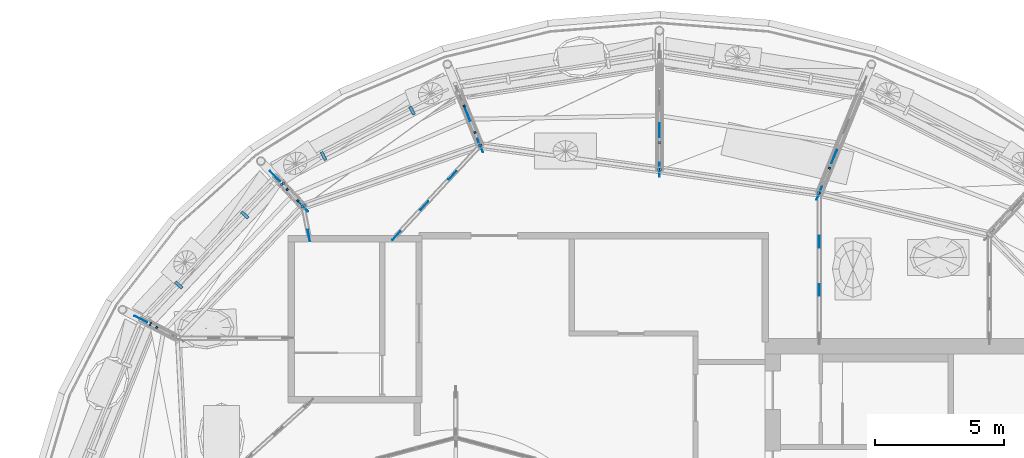
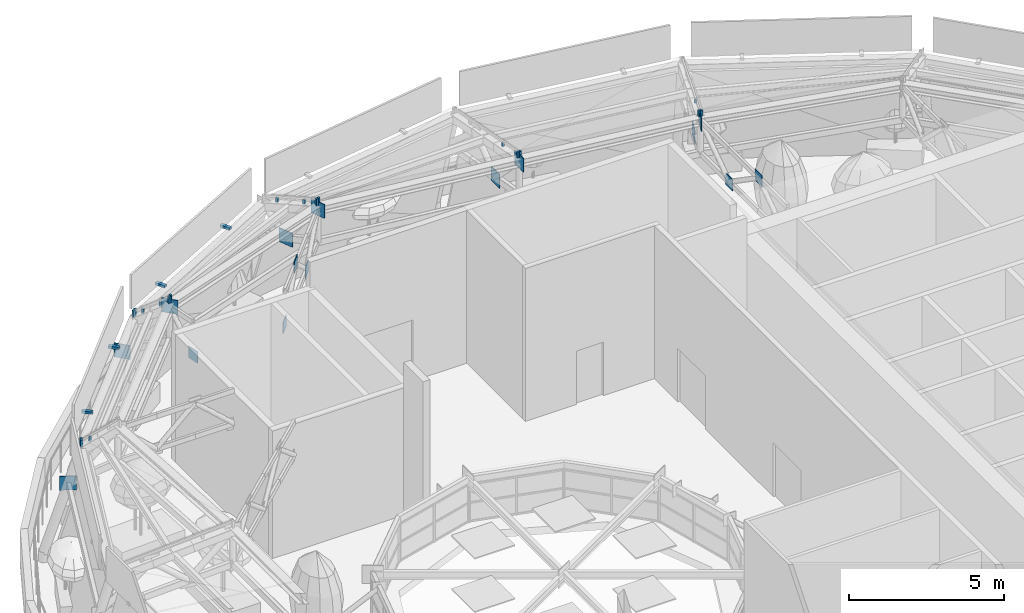
# One storey, part 26 of 40: 38 discrete accessories.
"""IFC4 building model written with IfcOpenShell, lengths in metres."""

from ifc_helpers import new_model, si_unit, direction, frame, origin, origin_2d, place, context, subcontext, project, spatial, rectangle, extrude, material, type_object, element, save


model = new_model("IFC4")

# Units and contexts
model_context = context("Model", 3, precision=1e-05, world=origin(), true_north=direction((0.0, 1.0)))
body_context = subcontext(model_context, "Body", "Model", "MODEL_VIEW")
ifc_project = project(units=[si_unit("LENGTHUNIT", "METRE"), si_unit("AREAUNIT", "SQUARE_METRE"), si_unit("VOLUMEUNIT", "CUBIC_METRE"), si_unit("PLANEANGLEUNIT", "RADIAN"), si_unit("MASSUNIT", "GRAM", prefix="KILO")], contexts=[model_context])

# Site, building, storey
site_placement = place(None, origin())
site = spatial("IfcSite", under=ifc_project, at=site_placement, CompositionType="ELEMENT")
building_placement = place(site_placement, origin())
building = spatial("IfcBuilding", under=site, at=building_placement, Name="Taillehof Tower", CompositionType="ELEMENT")
storey_placement = place(building_placement, frame((0.0, 0.0, 275.199951171875)))
storey = spatial("IfcBuildingStorey", under=building, at=storey_placement, Name="L77", CompositionType="ELEMENT", Elevation=275.199951171875)

# Discrete accessories
ifc_material_1 = material(Name="Steel S460M", Category="steel")
discrete_accessory_type_1 = type_object("IfcDiscreteAccessoryType", Name="Steel bracket", PredefinedType="BRACKET", material=ifc_material_1)
discrete_accessory_1_placement = place(storey_placement, frame((6.135498046875, 15.6435546875, 5.23583984375), z_axis=(0.0, 0.0, 1.0), x_axis=(1.0, 0.0, 0.0)))
element("IfcDiscreteAccessory", 1, at=discrete_accessory_1_placement, inside=storey, type_object=discrete_accessory_type_1, Name="Canopy glazing seat", PredefinedType="BRACKET", context=body_context, shape_type="SweptSolid", body=[
    extrude(rectangle(XDim=0.080078125, YDim=0.080078125, at=origin_2d()), origin(), (0.0, 0.0, 1.0), 0.234619140625),
])
discrete_accessory_2_placement = place(storey_placement, frame((6.49462890625, 16.611572265625, 5.0400390625), z_axis=(0.0, 0.0, 1.0), x_axis=(-0.374959342853, -0.927041256475, 0.0)))
element("IfcDiscreteAccessory", 2, at=discrete_accessory_2_placement, inside=storey, type_object=discrete_accessory_type_1, Name="Canopy glazing seat", PredefinedType="BRACKET", context=body_context, shape_type="SweptSolid", body=[
    extrude(rectangle(XDim=0.080078125, YDim=0.080078125, at=origin_2d()), origin(), (0.0, 0.0, 1.0), 0.142578125),
])
discrete_accessory_3_placement = place(storey_placement, frame((-0.068115234375, 16.564208984375, 5.236328125), z_axis=(0.0, 0.0, 1.0), x_axis=(1.0, 0.0, 0.0)))
element("IfcDiscreteAccessory", 3, at=discrete_accessory_3_placement, inside=storey, type_object=discrete_accessory_type_1, Name="Canopy glazing seat", PredefinedType="BRACKET", context=body_context, shape_type="SweptSolid", body=[
    extrude(rectangle(XDim=0.080078125, YDim=0.080078125, at=origin_2d()), origin(), (0.0, 0.0, 1.0), 0.243408203125),
])
discrete_accessory_4_placement = place(storey_placement, frame((6.0751953125, 15.66162109375, 5.236328125), z_axis=(0.0, 0.0, 1.0), x_axis=(1.0, 0.0, 0.0)))
element("IfcDiscreteAccessory", 4, at=discrete_accessory_4_placement, inside=storey, type_object=discrete_accessory_type_1, Name="Canopy glazing seat", PredefinedType="BRACKET", context=body_context, shape_type="SweptSolid", body=[
    extrude(rectangle(XDim=0.080078125, YDim=0.080078125, at=origin_2d()), origin(), (0.0, 0.0, 1.0), 0.234619140625),
])
discrete_accessory_5_placement = place(storey_placement, frame((-0.10009765625, 17.60009765625, 5.0400390625), z_axis=(0.0, 0.0, 1.0), x_axis=(0.0, -1.0, 0.0)))
element("IfcDiscreteAccessory", 5, at=discrete_accessory_5_placement, inside=storey, type_object=discrete_accessory_type_1, Name="Canopy glazing seat", PredefinedType="BRACKET", context=body_context, shape_type="SweptSolid", body=[
    extrude(rectangle(XDim=0.080078125, YDim=0.080078125, at=origin_2d()), origin(), (0.0, 0.0, 1.0), 0.1513671875),
])
discrete_accessory_6_placement = place(storey_placement, frame((-7.017822265625, 17.503173828125, 5.23779296875), z_axis=(0.0, 0.0, 1.0), x_axis=(1.0, 0.0, 0.0)))
element("IfcDiscreteAccessory", 6, at=discrete_accessory_6_placement, inside=storey, type_object=discrete_accessory_type_1, Name="Canopy glazing seat", PredefinedType="BRACKET", context=body_context, shape_type="SweptSolid", body=[
    extrude(rectangle(XDim=0.080078125, YDim=0.080078125, at=origin_2d()), origin(), (0.0, 0.0, 1.0), 0.275146484375),
])
discrete_accessory_7_placement = place(storey_placement, frame((-0.130615234375, 16.56689453125, 5.23779296875), z_axis=(0.0, 0.0, 1.0), x_axis=(1.0, 0.0, 0.0)))
element("IfcDiscreteAccessory", 7, at=discrete_accessory_7_placement, inside=storey, type_object=discrete_accessory_type_1, Name="Canopy glazing seat", PredefinedType="BRACKET", context=body_context, shape_type="SweptSolid", body=[
    extrude(rectangle(XDim=0.080078125, YDim=0.080078125, at=origin_2d()), origin(), (0.0, 0.0, 1.0), 0.243408203125),
])
for number, where, z_axis, x_axis, name in (
    (8, (-7.669921875, 19.02197265625, 4.64013671875), (0.0, 0.0, 1.0), (0.374914038623, -0.927059579339, 0.0), "Canopy glazing seat"),
    (9, (-7.257080078125, 18.001953125, 5.0400390625), (0.0, 0.0, 1.0), (0.374914038623, -0.927059579339, 0.0), "Canopy glazing seat"),
):
    element("IfcDiscreteAccessory", number, at=place(storey_placement, frame(where, z_axis=z_axis, x_axis=x_axis)), inside=storey, type_object=discrete_accessory_type_1, Name=name, PredefinedType="BRACKET", context=body_context, shape_type="SweptSolid", body=[
        extrude(rectangle(XDim=0.080078125, YDim=0.080078125, at=origin_2d()), origin(), (0.0, 0.0, 1.0), 0.18310546875),
    ])
discrete_accessory_8_placement = place(storey_placement, frame((-14.684326171875, 16.02783203125, 4.45556640625), z_axis=(0.0, 0.0, 1.0), x_axis=(1.0, 0.0, 0.0)))
element("IfcDiscreteAccessory", 10, at=discrete_accessory_8_placement, inside=storey, type_object=discrete_accessory_type_1, Name="Canopy glazing seat", PredefinedType="BRACKET", context=body_context, shape_type="SweptSolid", body=[
    extrude(rectangle(XDim=0.080078125, YDim=0.080078125, at=origin_2d()), origin(), (0.0, 0.0, 1.0), 0.2646484375),
])
discrete_accessory_9_placement = place(storey_placement, frame((-13.873291015625, 15.162353515625, 5.239990234375), z_axis=(0.0, 0.0, 1.0), x_axis=(1.0, 0.0, 0.0)))
element("IfcDiscreteAccessory", 11, at=discrete_accessory_9_placement, inside=storey, type_object=discrete_accessory_type_1, Name="Canopy glazing seat", PredefinedType="BRACKET", context=body_context, shape_type="SweptSolid", body=[
    extrude(rectangle(XDim=0.080078125, YDim=0.080078125, at=origin_2d()), origin(), (0.0, 0.0, 1.0), 0.2705078125),
])
discrete_accessory_10_placement = place(storey_placement, frame((-7.085693359375, 17.48779296875, 5.2373046875), z_axis=(0.0, 0.0, 1.0), x_axis=(1.0, 0.0, 0.0)))
element("IfcDiscreteAccessory", 12, at=discrete_accessory_10_placement, inside=storey, type_object=discrete_accessory_type_1, Name="Canopy glazing seat", PredefinedType="BRACKET", context=body_context, shape_type="SweptSolid", body=[
    extrude(rectangle(XDim=0.080078125, YDim=0.080078125, at=origin_2d()), origin(), (0.0, 0.0, 1.0), 0.275146484375),
])
for number, where, z_axis, x_axis, name in (
    (13, (-14.53662109375, 15.78759765625, 4.64013671875), (0.0, 0.0, 1.0), (0.681665135078, -0.731664297078, 0.0), "Canopy glazing seat"),
    (14, (-14.12744140625, 15.348388671875, 5.0400390625), (0.0, 0.0, 1.0), (0.681665135078, -0.731664297078, 0.0), "Canopy glazing seat"),
):
    element("IfcDiscreteAccessory", number, at=place(storey_placement, frame(where, z_axis=z_axis, x_axis=x_axis)), inside=storey, type_object=discrete_accessory_type_1, Name=name, PredefinedType="BRACKET", context=body_context, shape_type="SweptSolid", body=[
        extrude(rectangle(XDim=0.080078125, YDim=0.080078125, at=origin_2d()), origin(), (0.0, 0.0, 1.0), 0.18310546875),
    ])
discrete_accessory_11_placement = place(storey_placement, frame((-14.7607421875, 15.97802734375, 4.44384765625), z_axis=(0.0, 0.0, 1.0), x_axis=(1.0, 0.0, 0.0)))
element("IfcDiscreteAccessory", 15, at=discrete_accessory_11_placement, inside=storey, type_object=discrete_accessory_type_1, Name="Canopy glazing seat", PredefinedType="BRACKET", context=body_context, shape_type="SweptSolid", body=[
    extrude(rectangle(XDim=0.080078125, YDim=0.080078125, at=origin_2d()), origin(), (0.0, 0.0, 1.0), 0.275146484375),
])
discrete_accessory_12_placement = place(storey_placement, frame((-19.81787109375, 10.6123046875, 4.45458984375), z_axis=(0.0, 0.0, 1.0), x_axis=(1.0, 0.0, 0.0)))
element("IfcDiscreteAccessory", 16, at=discrete_accessory_12_placement, inside=storey, type_object=discrete_accessory_type_1, Name="Canopy glazing seat", PredefinedType="BRACKET", context=body_context, shape_type="SweptSolid", body=[
    extrude(rectangle(XDim=0.080078125, YDim=0.080078125, at=origin_2d()), origin(), (0.0, 0.0, 1.0), 0.264404296875),
])
discrete_accessory_13_placement = place(storey_placement, frame((-13.950927734375, 15.10791015625, 5.236328125), z_axis=(0.0, 0.0, 1.0), x_axis=(1.0, 0.0, 0.0)))
element("IfcDiscreteAccessory", 17, at=discrete_accessory_13_placement, inside=storey, type_object=discrete_accessory_type_1, Name="Canopy glazing seat", PredefinedType="BRACKET", context=body_context, shape_type="SweptSolid", body=[
    extrude(rectangle(XDim=0.080078125, YDim=0.080078125, at=origin_2d()), origin(), (0.0, 0.0, 1.0), 0.275146484375),
])
discrete_accessory_14_placement = place(storey_placement, frame((-19.5966796875, 10.43359375, 4.64013671875), z_axis=(0.0, 0.0, 1.0), x_axis=(0.887148603147, -0.461483863136, 0.0)))
element("IfcDiscreteAccessory", 18, at=discrete_accessory_14_placement, inside=storey, type_object=discrete_accessory_type_1, Name="Canopy glazing seat", PredefinedType="BRACKET", context=body_context, shape_type="SweptSolid", body=[
    extrude(rectangle(XDim=0.080078125, YDim=0.080078125, at=origin_2d()), origin(), (0.0, 0.0, 1.0), 0.18310546875),
])
discrete_accessory_15_placement = place(storey_placement, frame((-19.863525390625, 10.537109375, 4.4423828125), z_axis=(0.0, 0.0, 1.0), x_axis=(1.0, 0.0, 0.0)))
element("IfcDiscreteAccessory", 19, at=discrete_accessory_15_placement, inside=storey, type_object=discrete_accessory_type_1, Name="Canopy glazing seat", PredefinedType="BRACKET", context=body_context, shape_type="SweptSolid", body=[
    extrude(rectangle(XDim=0.080078125, YDim=0.080078125, at=origin_2d()), origin(), (0.0, 0.0, 1.0), 0.275146484375),
])
for number, where, z_axis, x_axis, name in (
    (20, (-9.693603515625, 18.845947265625, 4.429931640625), (0.0, 0.0, 1.0), (-0.46114473719, 0.887324929979, 0.0), "Crown fascia bracket"),
    (21, (-13.126220703125, 17.08349609375, 4.429931640625), (0.0, 0.0, 1.0), (-0.46114473719, 0.887324929979, 0.0), "Crown fascia bracket"),
    (22, (-16.182373046875, 14.79833984375, 4.429931640625), (0.0, 0.0, 1.0), (-0.731498903064, 0.681842617336, 0.0), "Crown fascia bracket"),
    (23, (-18.743408203125, 12.080810546875, 4.429931640625), (0.0, 0.0, 1.0), (-0.731498903064, 0.681842617336, 0.0), "Crown fascia bracket"),
):
    element("IfcDiscreteAccessory", number, at=place(storey_placement, frame(where, z_axis=z_axis, x_axis=x_axis)), inside=storey, type_object=discrete_accessory_type_1, Name=name, PredefinedType="BRACKET", context=body_context, shape_type="SweptSolid", body=[
        extrude(rectangle(XDim=0.360107421875, YDim=0.1201171875, at=origin_2d()), origin(), (0.0, 0.0, 1.0), 0.10009765625),
    ])
ifc_material_2 = material(Name="Steel S460M", Category="steel")
discrete_accessory_type_2 = type_object("IfcDiscreteAccessoryType", Name="Steel gusset plate", PredefinedType="BRACKET", material=ifc_material_2)
for number, where, z_axis, x_axis, name in (
    (24, (-20.219970703125, 10.760009765625, 2.72509765625), (0.0, 0.0, 1.0), (0.887312856934, -0.461167967145, 0.0), "Gusset plate 314"),
    (25, (-15.010009765625, 16.300048828125, 2.72509765625), (0.0, 0.0, 1.0), (0.681845170745, -0.73149652298, 0.0), "Gusset plate 335"),
    (26, (-13.919921875, 15.1298828125, 4.8251953125), (0.0, 0.0, 1.0), (0.681845170745, -0.73149652298, 0.0), "Gusset plate 342"),
):
    element("IfcDiscreteAccessory", number, at=place(storey_placement, frame(where, z_axis=z_axis, x_axis=x_axis)), inside=storey, type_object=discrete_accessory_type_2, Name=name, PredefinedType="BRACKET", context=body_context, shape_type="SweptSolid", body=[
        extrude(rectangle(XDim=0.550048828125, YDim=0.02490234375, at=origin_2d()), origin(), (0.0, 0.0, 1.0), 0.550048828125),
    ])
for number, where, z_axis, x_axis, name in (
    (27, (-13.699951171875, 14.0, 3.5751953125), (0.0, 0.0, 1.0), (0.193414192459, -0.981117194914, 0.0), "Gusset plate 346"),
    (28, (-10.300048828125, 14.0, 3.5751953125), (0.0, 0.0, 1.0), (-0.681136281204, -0.732156654295, 0.0), "Gusset plate 352"),
    (29, (-9.219970703125, 15.159912109375, 4.875), (0.0, 0.0, 1.0), (-0.681132447631, -0.732160220706, 0.0), "Gusset plate 354"),
    (30, (-8.1298828125, 16.330078125, 3.5751953125), (0.0, 0.0, 1.0), (-0.681136281204, -0.732156654295, 0.0), "Gusset plate 356"),
):
    element("IfcDiscreteAccessory", number, at=place(storey_placement, frame(where, z_axis=z_axis, x_axis=x_axis)), inside=storey, type_object=discrete_accessory_type_2, Name=name, PredefinedType="BRACKET", context=body_context, shape_type="SweptSolid", body=[
        extrude(rectangle(XDim=0.449951171875, YDim=0.02490234375, at=origin_2d()), origin(), (0.0, 0.0, 1.0), 0.449951171875),
    ])
for number, where, z_axis, x_axis, name in (
    (31, (-7.5400390625, 18.699951171875, 3.125), (0.0, 0.0, 1.0), (0.374844462526, -0.927087713711, 0.0), "Gusset plate 364"),
    (32, (-7.050048828125, 17.489990234375, 4.8251953125), (0.0, 0.0, 1.0), (0.374837990224, -0.927090330596, 0.0), "Gusset plate 366"),
    (33, (-0.10009765625, 16.550048828125, 4.8251953125), (0.0, 0.0, 1.0), (0.0, -1.0, 0.0), "Gusset plate 378"),
    (34, (-0.10009765625, 18.080078125, 3.2548828125), (0.0, 0.0, 1.0), (0.0, -1.0, 0.0), "Gusset plate 379"),
):
    element("IfcDiscreteAccessory", number, at=place(storey_placement, frame(where, z_axis=z_axis, x_axis=x_axis)), inside=storey, type_object=discrete_accessory_type_2, Name=name, PredefinedType="BRACKET", context=body_context, shape_type="SweptSolid", body=[
        extrude(rectangle(XDim=0.550048828125, YDim=0.02490234375, at=origin_2d()), origin(), (0.0, 0.0, 1.0), 0.550048828125),
    ])
for number, where, z_axis, x_axis, name in (
    (35, (6.10009765625, 11.8798828125, 4.875), (0.0, 0.0, 1.0), (0.0, -1.0, 0.0), "Gusset plate 388"),
    (36, (6.10009765625, 13.760009765625, 3.5751953125), (0.0, 0.0, 1.0), (0.0, -1.0, 0.0), "Gusset plate 389"),
):
    element("IfcDiscreteAccessory", number, at=place(storey_placement, frame(where, z_axis=z_axis, x_axis=x_axis)), inside=storey, type_object=discrete_accessory_type_2, Name=name, PredefinedType="BRACKET", context=body_context, shape_type="SweptSolid", body=[
        extrude(rectangle(XDim=0.449951171875, YDim=0.02490234375, at=origin_2d()), origin(), (0.0, 0.0, 1.0), 0.449951171875),
    ])
for number, where, z_axis, x_axis, name in (
    (37, (6.10009765625, 15.639892578125, 4.8251953125), (0.0, 0.0, 1.0), (-0.374842844452, -0.927088367936, 0.0), "Gusset plate 390"),
    (38, (6.679931640625, 17.06005859375, 3.2548828125), (0.0, 0.0, 1.0), (-0.374836372145, -0.92709098481, 0.0), "Gusset plate 392"),
):
    element("IfcDiscreteAccessory", number, at=place(storey_placement, frame(where, z_axis=z_axis, x_axis=x_axis)), inside=storey, type_object=discrete_accessory_type_2, Name=name, PredefinedType="BRACKET", context=body_context, shape_type="SweptSolid", body=[
        extrude(rectangle(XDim=0.550048828125, YDim=0.02490234375, at=origin_2d()), origin(), (0.0, 0.0, 1.0), 0.550048828125),
    ])

save(model, "model.ifc")
